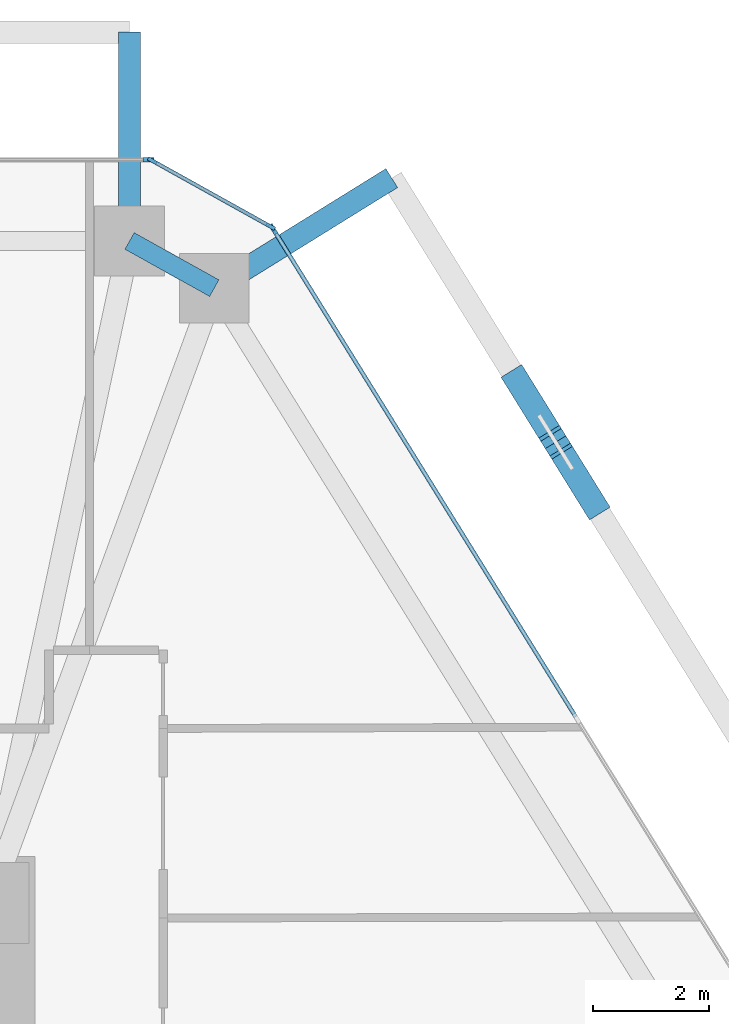
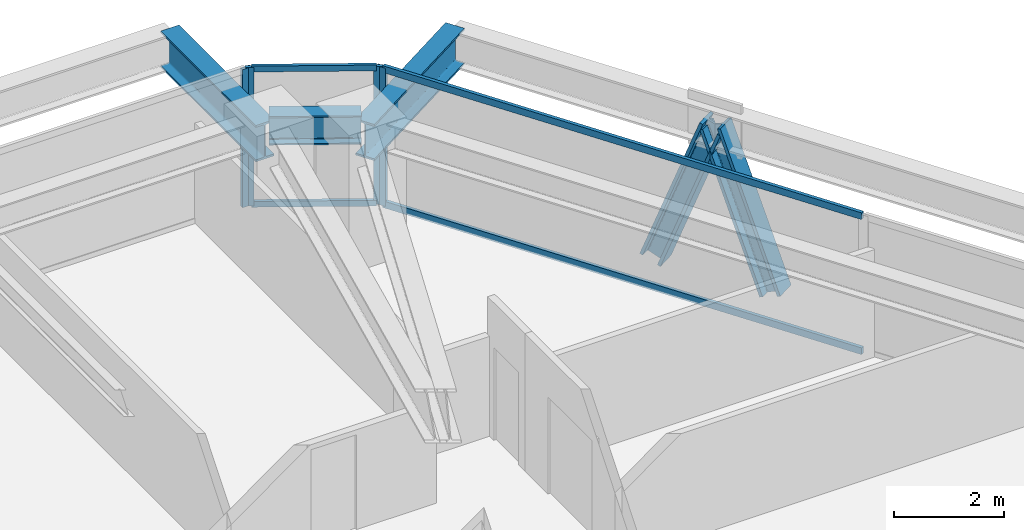
# One storey, part 8 of 16: 10 members, 3 beams, 3 elements without a shape of their own.
"""IFC4 building model written with IfcOpenShell, lengths in metres."""

from ifc_helpers import new_model, si_unit, direction, frame, origin, origin_2d, place, context, subcontext, project, spatial, rectangle, i_section, extrude, source, transform, mapped, material, layer, layer_set, material_profile, profile_set, type_object, type_shapes, element, aggregate, save


model = new_model("IFC4")

# Units and contexts
model_context = context("Model", 3, precision=1e-05, world=origin(), true_north=direction((0.0, 1.0)))
body_context = subcontext(model_context, "Body", "Model", "MODEL_VIEW")
ifc_project = project(units=[si_unit("LENGTHUNIT", "METRE"), si_unit("AREAUNIT", "SQUARE_METRE"), si_unit("VOLUMEUNIT", "CUBIC_METRE"), si_unit("PLANEANGLEUNIT", "RADIAN"), si_unit("MASSUNIT", "GRAM", prefix="KILO")], contexts=[model_context])

# Site, building, storey
site_placement = place(None, origin())
site = spatial("IfcSite", under=ifc_project, at=site_placement, CompositionType="ELEMENT")
building_placement = place(site_placement, origin())
building = spatial("IfcBuilding", under=site, at=building_placement, Name="Durnholm Broadcast Tower", CompositionType="ELEMENT")
storey_placement = place(building_placement, frame((0.0, 0.0, 130.5)))
storey = spatial("IfcBuildingStorey", under=building, at=storey_placement, Name="L35", CompositionType="ELEMENT", Elevation=130.5)

# Beams
ifc_material_1 = material(Name="Steel ASTM A992 Grade 50", Category="steel")
ifc_material_profile_1 = material_profile(ifc_material_1, i_section(OverallWidth=0.385009765625, OverallDepth=0.802978515625, WebThickness=0.023681640625, FlangeThickness=0.0419921875, FilletRadius=0.032958984375, at=origin_2d()), Name="W30X261")
ifc_profile_set_1 = profile_set([ifc_material_profile_1], Name="Steel ASTM A992 Grade 50")
beam_type_1 = type_object("IfcBeamType", Name="BM-EXO-TIE", PredefinedType="USERDEFINED", material=ifc_profile_set_1)
shared_shape_1 = source(origin(), body_context, "Body", "SweptSolid", [
    extrude(i_section(OverallWidth=0.385009765625, OverallDepth=0.802978515625, WebThickness=0.023681640625, FlangeThickness=0.0419921875, FilletRadius=0.032958984375, at=origin_2d()), origin(), (0.0, 0.0, 1.0), 3.4560546875),
])
beam_1_placement = place(storey_placement, frame((12.22998046875, 19.35888671875, 2.30859375), z_axis=(0.0, 1.0, 0.0), x_axis=(-1.0, 0.0, 0.0)))
element("IfcBeam", 1, at=beam_1_placement, inside=storey, type_object=beam_type_1, Name="L35 exoskeleton stand-off tie bracket F4.1", ObjectType="GIRDER", PredefinedType="USERDEFINED", context=body_context, shape_type="MappedRepresentation", body=[
    mapped(shared_shape_1, transform((0.0, 0.0, 0.0), x_axis=(1.0, 0.0, 0.0), y_axis=(0.0, 1.0, 0.0), z_axis=(0.0, 0.0, 1.0), scale=1.0)),
])
shared_shape_2 = source(origin(), body_context, "Body", "SweptSolid", [
    extrude(i_section(OverallWidth=0.385009765625, OverallDepth=0.802978515625, WebThickness=0.023681640625, FlangeThickness=0.0419921875, FilletRadius=0.032958984375, at=origin_2d()), origin(), (0.0, 0.0, 1.0), 3.455810546875),
])
type_shapes(beam_type_1, [shared_shape_1, shared_shape_2])
beam_2_placement = place(storey_placement, frame((13.814697265625, 18.477294921875, 2.30859375), z_axis=(0.849807128357, 0.527093772107, 0.0), x_axis=(-0.527093772107, 0.849807128357, 0.0)))
element("IfcBeam", 2, at=beam_2_placement, inside=storey, type_object=beam_type_1, Name="L35 exoskeleton stand-off tie bracket F3.2", ObjectType="GIRDER", PredefinedType="USERDEFINED", context=body_context, shape_type="MappedRepresentation", body=[
    mapped(shared_shape_2, transform((0.0, 0.0, 0.0), x_axis=(1.0, 0.0, 0.0), y_axis=(0.0, 1.0, 0.0), z_axis=(0.0, 0.0, 1.0), scale=1.0)),
])
ifc_material_profile_2 = material_profile(ifc_material_1, i_section(OverallWidth=0.3291015625, OverallDepth=0.635009765625, WebThickness=0.017822265625, FlangeThickness=0.031005859375, FilletRadius=0.02783203125, at=origin_2d()), Name="W24X162")
ifc_profile_set_2 = profile_set([ifc_material_profile_2], Name="Steel ASTM A992 Grade 50")
beam_type_2 = type_object("IfcBeamType", Name="STL-SP-W24X162", PredefinedType="SPANDREL", material=ifc_profile_set_2)
shared_shape_3 = source(origin(), body_context, "Body", "SweptSolid", [
    extrude(i_section(OverallWidth=0.3291015625, OverallDepth=0.635009765625, WebThickness=0.017822265625, FlangeThickness=0.031005859375, FilletRadius=0.02783203125, at=origin_2d()), origin(), (0.0, 0.0, 1.0), 1.67333984375),
])
type_shapes(beam_type_2, [shared_shape_3])
beam_3_placement = place(storey_placement, frame((12.22998046875, 19.215087890625, 2.7275390625), z_axis=(0.873799169188, -0.486286964586, 0.0), x_axis=(0.486286964586, 0.873799169188, 0.0)))
element("IfcBeam", 3, at=beam_3_placement, inside=storey, type_object=beam_type_2, Name="L35 perimeter spandrel girder 06", PredefinedType="SPANDREL", context=body_context, shape_type="MappedRepresentation", body=[
    mapped(shared_shape_3, transform((0.0, 0.0, 0.0), x_axis=(1.0, 0.0, 0.0), y_axis=(0.0, 1.0, 0.0), z_axis=(0.0, 0.0, 1.0), scale=1.0)),
])

# Members
ifc_material_2 = material(Name="Steel ASTM A913 Grade 65", Category="steel")
ifc_material_profile_3 = material_profile(ifc_material_2, i_section(OverallWidth=0.41845703125, OverallDepth=0.455078125, WebThickness=0.0419921875, FlangeThickness=0.067626953125, FilletRadius=0.030517578125, at=origin_2d()), Name="W14X370")
ifc_profile_set_3 = profile_set([ifc_material_profile_3], Name="Steel ASTM A913 Grade 65")
member_type_1 = type_object("IfcMemberType", Name="STL-DG-W14X370", PredefinedType="BRACE", material=ifc_profile_set_3)
shared_shape_4 = source(origin(), body_context, "Body", "SweptSolid", [
    extrude(i_section(OverallWidth=0.41845703125, OverallDepth=0.455078125, WebThickness=0.0419921875, FlangeThickness=0.067626953125, FilletRadius=0.030517578125, at=origin_2d()), origin(), (0.0, 0.0, 1.0), 3.523193359375),
])
member_1_placement = place(storey_placement, frame((18.92578125, 16.793212890625, -0.991455078125), z_axis=(0.184669768468, -0.297619758188, 0.936653381006), x_axis=(0.849716575602, 0.52723973783, 0.0)))
element("IfcMember", 4, at=member_1_placement, inside=storey, type_object=member_type_1, Name="L35 stand-off diagrid brace F3.D2.2", PredefinedType="BRACE", context=body_context, shape_type="MappedRepresentation", body=[
    mapped(shared_shape_4, transform((0.0, 0.0, 0.0), x_axis=(1.0, 0.0, 0.0), y_axis=(0.0, 1.0, 0.0), z_axis=(0.0, 0.0, 1.0), scale=1.0)),
])
shared_shape_5 = source(origin(), body_context, "Body", "SweptSolid", [
    extrude(i_section(OverallWidth=0.41845703125, OverallDepth=0.455078125, WebThickness=0.0419921875, FlangeThickness=0.067626953125, FilletRadius=0.030517578125, at=origin_2d()), origin(), (0.0, 0.0, 1.0), 3.52294921875),
])
type_shapes(member_type_1, [shared_shape_4, shared_shape_5])
member_2_placement = place(storey_placement, frame((20.2265625, 14.6962890625, -0.991455078125), z_axis=(-0.184539706302, 0.297564212865, 0.936696661689), x_axis=(-0.849838868368, -0.527042595823, 0.0)))
element("IfcMember", 5, at=member_2_placement, inside=storey, type_object=member_type_1, Name="L35 stand-off diagrid brace F3.D2.1", PredefinedType="BRACE", context=body_context, shape_type="MappedRepresentation", body=[
    mapped(shared_shape_5, transform((0.0, 0.0, 0.0), x_axis=(1.0, 0.0, 0.0), y_axis=(0.0, 1.0, 0.0), z_axis=(0.0, 0.0, 1.0), scale=1.0)),
])

# Curtain wall, members
ifc_material_3 = material(Name="Aluminium and Solar Control IGU", Category="aluminium")
ifc_layer_1 = layer(ifc_material_3, 0.1650390625)
ifc_layer_set_1 = layer_set([ifc_layer_1], Name="Aluminium and Solar Control IGU")
curtain_wall_type_1 = type_object("IfcCurtainWallType", Name="CW-SYS-5", PredefinedType="NOTDEFINED", material=ifc_layer_set_1)
curtain_wall_1_placement = place(storey_placement, origin())
curtain_wall_1 = element("IfcCurtainWall", 6, at=curtain_wall_1_placement, inside=storey, type_object=curtain_wall_type_1, Name="L35 curtain wall CW-CORNER CW-L35-CRN-05", PredefinedType="NOTDEFINED")
ifc_material_4 = material(Name="Aluminium 6063-T6", Category="aluminium")
ifc_material_profile_4 = material_profile(ifc_material_4, rectangle(XDim=0.06494140625, YDim=0.1650390625, at=origin_2d()), Name="CWM65X165")
ifc_profile_set_4 = profile_set([ifc_material_profile_4], Name="Aluminium 6063-T6")
member_type_2 = type_object("IfcMemberType", Name="CW-SYS-5-MUL", PredefinedType="MULLION", material=ifc_profile_set_4)
shared_shape_6 = source(origin(), body_context, "Body", "SweptSolid", [
    extrude(rectangle(XDim=0.06494140625, YDim=0.1650390625, at=origin_2d()), origin(), (0.0, 0.0, 1.0), 3.06005859375),
])
type_shapes(member_type_2, [shared_shape_6])
member_3_placement = place(storey_placement, frame((12.62158203125, 20.59912109375, 0.0), z_axis=(0.0, 0.0, 1.0), x_axis=(0.486244224192, 0.873822953715, 0.0)))
member_3 = element("IfcMember", 7, at=member_3_placement, type_object=member_type_2, Name="CW-CORNER mullion 1", PredefinedType="MULLION", context=body_context, shape_type="MappedRepresentation", body=[
    mapped(shared_shape_6, transform((0.0, 0.0, 0.0), x_axis=(1.0, 0.0, 0.0), y_axis=(0.0, 1.0, 0.0), z_axis=(0.0, 0.0, 1.0), scale=1.0)),
])
member_4_placement = place(storey_placement, frame((14.662109375, 19.4638671875, 0.0), z_axis=(0.0, 0.0, 1.0), x_axis=(0.486244224192, 0.873822953715, 0.0)))
member_4 = element("IfcMember", 8, at=member_4_placement, type_object=member_type_2, Name="CW-CORNER mullion 2", PredefinedType="MULLION", context=body_context, shape_type="MappedRepresentation", body=[
    mapped(shared_shape_6, transform((0.0, 0.0, 0.0), x_axis=(1.0, 0.0, 0.0), y_axis=(0.0, 1.0, 0.0), z_axis=(0.0, 0.0, 1.0), scale=1.0)),
])

# Curtain wall, member
ifc_layer_2 = layer(ifc_material_3, 0.18994140625)
ifc_layer_set_2 = layer_set([ifc_layer_2], Name="Aluminium and Solar Control IGU")
curtain_wall_type_2 = type_object("IfcCurtainWallType", Name="CW-SYS-3", PredefinedType="NOTDEFINED", material=ifc_layer_set_2)
curtain_wall_2_placement = place(storey_placement, origin())
curtain_wall_2 = element("IfcCurtainWall", 9, at=curtain_wall_2_placement, inside=storey, type_object=curtain_wall_type_2, Name="L35 curtain wall CW-Z12-VIS CW-L35-F04", PredefinedType="NOTDEFINED")
ifc_material_profile_5 = material_profile(ifc_material_4, rectangle(XDim=0.070068359375, YDim=0.18994140625, at=origin_2d()), Name="CWM70X190")
ifc_profile_set_5 = profile_set([ifc_material_profile_5], Name="Aluminium 6063-T6")
member_type_3 = type_object("IfcMemberType", Name="CW-SYS-3-MUL", PredefinedType="MULLION", material=ifc_profile_set_5)
shared_shape_7 = source(origin(), body_context, "Body", "SweptSolid", [
    extrude(rectangle(XDim=0.070068359375, YDim=0.18994140625, at=origin_2d()), origin(), (0.0, 0.0, 1.0), 3.06005859375),
])
type_shapes(member_type_3, [shared_shape_7])
member_5_placement = place(storey_placement, frame((12.55810546875, 20.614990234375, 0.0), z_axis=(0.0, 0.0, 1.0), x_axis=(0.0, 1.0, 0.0)))
member_5 = element("IfcMember", 10, at=member_5_placement, type_object=member_type_3, Name="CW-Z12-VIS mullion 3", PredefinedType="MULLION", context=body_context, shape_type="MappedRepresentation", body=[
    mapped(shared_shape_7, transform((0.0, 0.0, 0.0), x_axis=(1.0, 0.0, 0.0), y_axis=(0.0, 1.0, 0.0), z_axis=(0.0, 0.0, 1.0), scale=1.0)),
])
aggregate(curtain_wall_2, [member_5])

curtain_wall_3_placement = place(storey_placement, origin())
curtain_wall_3 = element("IfcCurtainWall", 11, at=curtain_wall_3_placement, inside=storey, type_object=curtain_wall_type_2, Name="L35 curtain wall CW-Z12-VIS CW-L35-F06", PredefinedType="NOTDEFINED")
member_6_placement = place(storey_placement, frame((14.708740234375, 19.418212890625, 0.0), z_axis=(0.0, 0.0, 1.0), x_axis=(0.849799925229, 0.527105385176, 0.0)))
member_6 = element("IfcMember", 12, at=member_6_placement, type_object=member_type_3, Name="CW-Z12-VIS mullion 1", PredefinedType="MULLION", context=body_context, shape_type="MappedRepresentation", body=[
    mapped(shared_shape_7, transform((0.0, 0.0, 0.0), x_axis=(1.0, 0.0, 0.0), y_axis=(0.0, 1.0, 0.0), z_axis=(0.0, 0.0, 1.0), scale=1.0)),
])

# Member
ifc_material_profile_6 = material_profile(ifc_material_4, rectangle(XDim=0.06494140625, YDim=0.1298828125, at=origin_2d()), Name="CWT65X130")
ifc_profile_set_6 = profile_set([ifc_material_profile_6], Name="Aluminium 6063-T6")
member_type_4 = type_object("IfcMemberType", Name="CW-SYS-5-TRN", PredefinedType="USERDEFINED", material=ifc_profile_set_6)
shared_shape_8 = source(origin(), body_context, "Body", "SweptSolid", [
    extrude(rectangle(XDim=0.06494140625, YDim=0.1298828125, at=origin_2d()), origin(), (0.0, 0.0, 1.0), 2.270263671875),
])
type_shapes(member_type_4, [shared_shape_8])
member_7_placement = place(storey_placement, frame((12.64990234375, 20.58349609375, 0.032470703125), z_axis=(0.873786708897, -0.486309353555, 0.0), x_axis=(0.486309353555, 0.873786708897, 0.0)))
member_7 = element("IfcMember", 13, at=member_7_placement, type_object=member_type_4, Name="CW-CORNER transom 1.1", ObjectType="TRANSOM", PredefinedType="USERDEFINED", context=body_context, shape_type="MappedRepresentation", body=[
    mapped(shared_shape_8, transform((0.0, 0.0, 0.0), x_axis=(1.0, 0.0, 0.0), y_axis=(0.0, 1.0, 0.0), z_axis=(0.0, 0.0, 1.0), scale=1.0)),
])

member_8_placement = place(storey_placement, frame((12.64990234375, 20.58349609375, 3.027587890625), z_axis=(0.873786708897, -0.486309353555, 0.0), x_axis=(0.486309353555, 0.873786708897, 0.0)))
member_8 = element("IfcMember", 14, at=member_8_placement, type_object=member_type_4, Name="CW-CORNER transom 1.2", ObjectType="TRANSOM", PredefinedType="USERDEFINED", context=body_context, shape_type="MappedRepresentation", body=[
    mapped(shared_shape_8, transform((0.0, 0.0, 0.0), x_axis=(1.0, 0.0, 0.0), y_axis=(0.0, 1.0, 0.0), z_axis=(0.0, 0.0, 1.0), scale=1.0)),
])

aggregate(curtain_wall_1, [member_3, member_4, member_7, member_8])

ifc_material_profile_7 = material_profile(ifc_material_4, rectangle(XDim=0.070068359375, YDim=0.14990234375, at=origin_2d()), Name="CWT70X150")
ifc_profile_set_7 = profile_set([ifc_material_profile_7], Name="Aluminium 6063-T6")
member_type_5 = type_object("IfcMemberType", Name="CW-SYS-3-TRN", PredefinedType="USERDEFINED", material=ifc_profile_set_7)
shared_shape_9 = source(origin(), body_context, "Body", "SweptSolid", [
    extrude(rectangle(XDim=0.070068359375, YDim=0.14990234375, at=origin_2d()), origin(), (0.0, 0.0, 1.0), 9.858642578125),
])
type_shapes(member_type_5, [shared_shape_9])
member_9_placement = place(storey_placement, frame((14.727294921875, 19.388427734375, 0.034912109375), z_axis=(0.527102081419, -0.849801974441, 0.0), x_axis=(0.849801974441, 0.527102081419, 0.0)))
member_9 = element("IfcMember", 15, at=member_9_placement, type_object=member_type_5, Name="CW-Z12-VIS transom 1.1", ObjectType="TRANSOM", PredefinedType="USERDEFINED", context=body_context, shape_type="MappedRepresentation", body=[
    mapped(shared_shape_9, transform((0.0, 0.0, 0.0), x_axis=(1.0, 0.0, 0.0), y_axis=(0.0, 1.0, 0.0), z_axis=(0.0, 0.0, 1.0), scale=1.0)),
])

member_10_placement = place(storey_placement, frame((14.727294921875, 19.388427734375, 3.02490234375), z_axis=(0.527102081419, -0.849801974441, 0.0), x_axis=(0.849801974441, 0.527102081419, 0.0)))
member_10 = element("IfcMember", 16, at=member_10_placement, type_object=member_type_5, Name="CW-Z12-VIS transom 1.2", ObjectType="TRANSOM", PredefinedType="USERDEFINED", context=body_context, shape_type="MappedRepresentation", body=[
    mapped(shared_shape_9, transform((0.0, 0.0, 0.0), x_axis=(1.0, 0.0, 0.0), y_axis=(0.0, 1.0, 0.0), z_axis=(0.0, 0.0, 1.0), scale=1.0)),
])

aggregate(curtain_wall_3, [member_6, member_9, member_10])

save(model, "model.ifc")
